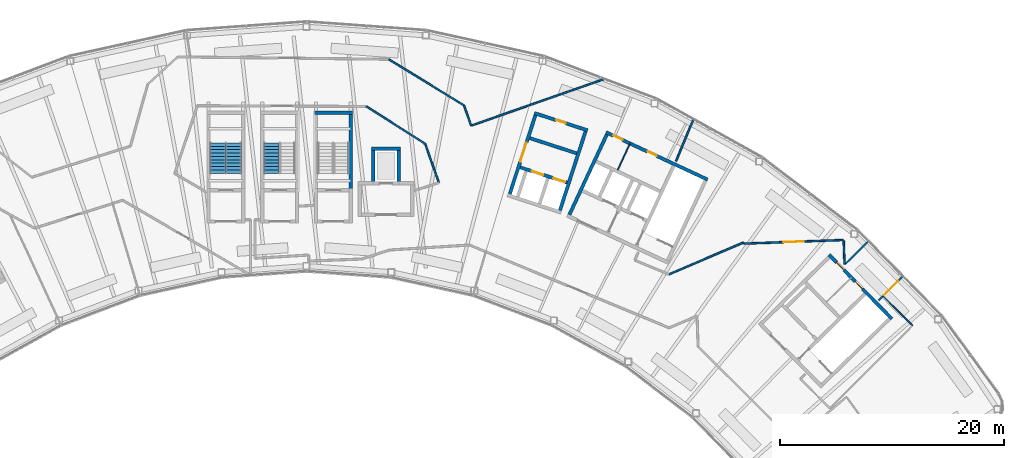
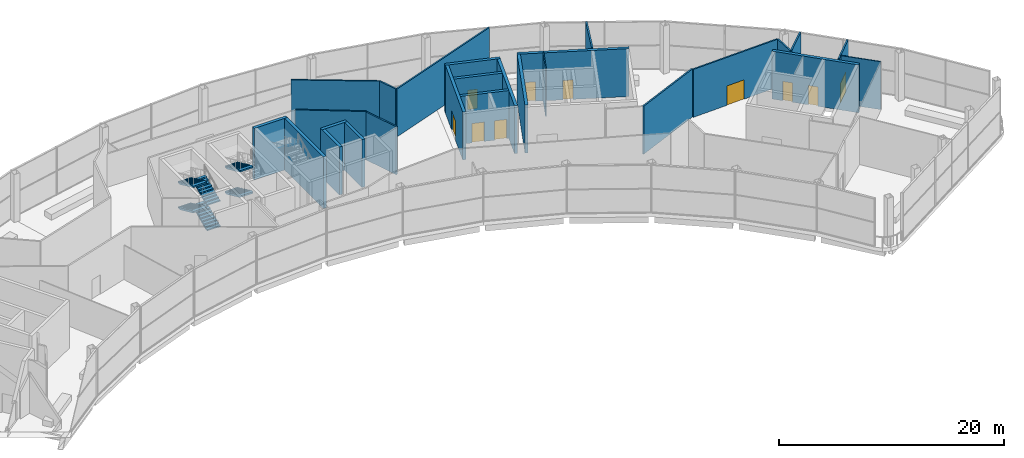
# One storey, part 40 of 44: 26 walls, 10 doors, 6 stair flights, 10 openings, 2 elements without a shape of their own.
"""IFC4 building model written with IfcOpenShell, lengths in metres."""

from ifc_helpers import new_model, si_unit, direction, frame, frame_2d, origin, place, context, subcontext, project, spatial, polyline, rectangle, outline, extrude, material, layer, layer_set, type_object, element, fill, aggregate, save


model = new_model("IFC4")

# Units and contexts
model_context = context("Model", 3, precision=1e-05, world=origin(), true_north=direction((0.0, 1.0)))
body_context = subcontext(model_context, "Body", "Model", "MODEL_VIEW")
ifc_project = project(units=[si_unit("LENGTHUNIT", "METRE"), si_unit("AREAUNIT", "SQUARE_METRE"), si_unit("VOLUMEUNIT", "CUBIC_METRE"), si_unit("PLANEANGLEUNIT", "RADIAN"), si_unit("MASSUNIT", "GRAM", prefix="KILO")], contexts=[model_context])

# Site, building, storey
site_placement = place(None, origin())
site = spatial("IfcSite", under=ifc_project, at=site_placement, CompositionType="ELEMENT")
building_placement = place(site_placement, origin())
building = spatial("IfcBuilding", under=site, at=building_placement, Name="Tuul Gate Civic Tower", CompositionType="ELEMENT")
storey_placement = place(building_placement, frame((0.0, 0.0, 354.60009765625)))
storey = spatial("IfcBuildingStorey", under=building, at=storey_placement, Name="Observation level 2", CompositionType="ELEMENT", Elevation=354.60009765625)

# Wall, openings, doors
ifc_material_1 = material(Name="Concrete C50/60", Category="concrete")
ifc_layer_1 = layer(ifc_material_1, 0.300048828125)
ifc_layer_set_1 = layer_set([ifc_layer_1], Name="Concrete C50/60")
wall_type_1 = type_object("IfcWallType", Name="Core wall C50/60", PredefinedType="SHEAR", material=ifc_layer_set_1)
wall_1_placement = place(storey_placement, frame((54.43798828125, -12.23779296875, 0.0), z_axis=(0.0, 0.0, 1.0), x_axis=(-0.700021979774, 0.714121297703, 0.0)))
wall_1 = element("IfcWall", 1, at=wall_1_placement, inside=storey, type_object=wall_type_1, Name="Core wall", PredefinedType="SHEAR", context=body_context, shape_type="SweptSolid", body=[
    extrude(rectangle(XDim=8.0, YDim=0.300048828125, at=frame_2d((4.0, 0.0))), origin(), (0.0, 0.0, 1.0), 5.199951171875),
])
opening_1_placement = place(wall_1_placement, frame((3.75, 0.0, 0.0)))
opening_1 = element("IfcOpeningElement", 2, at=opening_1_placement, cuts=wall_1, Name="Opening AE-D16", PredefinedType="OPENING", context=body_context, shape_type="SweptSolid", body=[
    extrude(rectangle(XDim=0.89990234375, YDim=2.10009765625, at=frame_2d((0.449951171875, 1.050048828125))), frame((0.0, 0.16015625, 0.0), z_axis=(0.0, -1.0, 0.0), x_axis=(1.0, 0.0, 0.0)), (0.0, 0.0, 1.0), 0.320068359375),
])
opening_2_placement = place(wall_1_placement, frame((6.125, 0.0, 0.0)))
opening_2 = element("IfcOpeningElement", 3, at=opening_2_placement, cuts=wall_1, Name="Opening AE-D17", PredefinedType="OPENING", context=body_context, shape_type="SweptSolid", body=[
    extrude(rectangle(XDim=0.89990234375, YDim=2.10009765625, at=frame_2d((0.449951171875, 1.050048828125))), frame((0.0, 0.16015625, 0.0), z_axis=(0.0, -1.0, 0.0), x_axis=(1.0, 0.0, 0.0)), (0.0, 0.0, 1.0), 0.320068359375),
])
ifc_material_2 = material(Name="Timber door leaf", Category="wood")
door_type_1 = type_object("IfcDoorType", Name="Door D09", OperationType="NOTDEFINED", PredefinedType="DOOR", material=ifc_material_2)
door_1_placement = place(opening_1_placement, origin())
door_1 = element("IfcDoor", 4, at=door_1_placement, inside=storey, type_object=door_type_1, Name="Door AE-D16", OperationType="SINGLE_SWING_LEFT", OverallHeight=2.10009765625, OverallWidth=0.89990234375, PredefinedType="DOOR", context=body_context, shape_type="SweptSolid", body=[
    extrude(rectangle(XDim=0.89990234375, YDim=2.10009765625, at=frame_2d((0.449951171875, 1.050048828125))), frame((0.0, 0.02490234375, 0.0), z_axis=(0.0, -1.0, 0.0), x_axis=(1.0, 0.0, 0.0)), (0.0, 0.0, 1.0), 0.050048828125),
])
fill(opening_1, door_1)
door_2_placement = place(opening_2_placement, origin())
door_2 = element("IfcDoor", 5, at=door_2_placement, inside=storey, type_object=door_type_1, Name="Door AE-D17", OperationType="SINGLE_SWING_LEFT", OverallHeight=2.10009765625, OverallWidth=0.89990234375, PredefinedType="DOOR", context=body_context, shape_type="SweptSolid", body=[
    extrude(rectangle(XDim=0.89990234375, YDim=2.10009765625, at=frame_2d((0.449951171875, 1.050048828125))), frame((0.0, 0.02490234375, 0.0), z_axis=(0.0, -1.0, 0.0), x_axis=(1.0, 0.0, 0.0)), (0.0, 0.0, 1.0), 0.050048828125),
])
fill(opening_2, door_2)

wall_2_placement = place(storey_placement, frame((37.993408203125, 0.181884765625, 0.0), z_axis=(0.0, 0.0, 1.0), x_axis=(-0.906310338845, 0.422612789327, 0.0)))
wall_2 = element("IfcWall", 6, at=wall_2_placement, inside=storey, type_object=wall_type_1, Name="Core wall", PredefinedType="SHEAR", context=body_context, shape_type="SweptSolid", body=[
    extrude(rectangle(XDim=9.999755859375, YDim=0.300048828125, at=frame_2d((5.0, 0.0))), origin(), (0.0, 0.0, 1.0), 5.199951171875),
])
opening_3_placement = place(wall_2_placement, frame((4.99365234375, 0.0, 0.0)))
opening_3 = element("IfcOpeningElement", 7, at=opening_3_placement, cuts=wall_2, Name="Opening AE-D18", PredefinedType="OPENING", context=body_context, shape_type="SweptSolid", body=[
    extrude(rectangle(XDim=0.89990234375, YDim=2.10009765625, at=frame_2d((0.449951171875, 1.050048828125))), frame((0.0, 0.16015625, 0.0), z_axis=(0.0, -1.0, 0.0), x_axis=(1.0, 0.0, 0.0)), (0.0, 0.0, 1.0), 0.320068359375),
])
opening_4_placement = place(wall_2_placement, frame((8.368896484375, 0.0, 0.0)))
opening_4 = element("IfcOpeningElement", 8, at=opening_4_placement, cuts=wall_2, Name="Opening AE-D19", PredefinedType="OPENING", context=body_context, shape_type="SweptSolid", body=[
    extrude(rectangle(XDim=0.89990234375, YDim=2.10009765625, at=frame_2d((0.449951171875, 1.050048828125))), frame((0.0, 0.16015625, 0.0), z_axis=(0.0, -1.0, 0.0), x_axis=(1.0, 0.0, 0.0)), (0.0, 0.0, 1.0), 0.320068359375),
])
door_3_placement = place(opening_3_placement, origin())
door_3 = element("IfcDoor", 9, at=door_3_placement, inside=storey, type_object=door_type_1, Name="Door AE-D18", OperationType="SINGLE_SWING_LEFT", OverallHeight=2.10009765625, OverallWidth=0.89990234375, PredefinedType="DOOR", context=body_context, shape_type="SweptSolid", body=[
    extrude(rectangle(XDim=0.89990234375, YDim=2.10009765625, at=frame_2d((0.449951171875, 1.050048828125))), frame((0.0, 0.02490234375, 0.0), z_axis=(0.0, -1.0, 0.0), x_axis=(1.0, 0.0, 0.0)), (0.0, 0.0, 1.0), 0.050048828125),
])
fill(opening_3, door_3)
door_4_placement = place(opening_4_placement, origin())
door_4 = element("IfcDoor", 10, at=door_4_placement, inside=storey, type_object=door_type_1, Name="Door AE-D19", OperationType="SINGLE_SWING_RIGHT", OverallHeight=2.10009765625, OverallWidth=0.89990234375, PredefinedType="DOOR", context=body_context, shape_type="SweptSolid", body=[
    extrude(rectangle(XDim=0.89990234375, YDim=2.10009765625, at=frame_2d((0.449951171875, 1.050048828125))), frame((0.0, 0.02490234375, 0.0), z_axis=(0.0, -1.0, 0.0), x_axis=(1.0, 0.0, 0.0)), (0.0, 0.0, 1.0), 0.050048828125),
])
fill(opening_4, door_4)

# Walls
wall_3_placement = place(storey_placement, frame((25.66455078125, -2.951416015625, 0.0), z_axis=(0.0, 0.0, 1.0), x_axis=(0.422582604137, 0.906324413596, 0.0)))
element("IfcWall", 11, at=wall_3_placement, inside=storey, type_object=wall_type_1, Name="Core wall", PredefinedType="SHEAR", context=body_context, shape_type="SweptSolid", body=[
    extrude(rectangle(XDim=7.89990234375, YDim=0.300048828125, at=frame_2d((3.949951171875, 0.0))), origin(), (0.0, 0.0, 1.0), 5.199951171875),
])
wall_4_placement = place(storey_placement, frame((6.14990234375, -0.89990234375, -0.400146484375), z_axis=(0.0, 0.0, 1.0), x_axis=(0.0, 1.0, 0.0)))
element("IfcWall", 12, at=wall_4_placement, inside=storey, type_object=wall_type_1, Name="Core wall", PredefinedType="SHEAR", context=body_context, shape_type="SweptSolid", body=[
    extrude(rectangle(XDim=7.199951171875, YDim=0.300048828125, at=frame_2d((3.60009765625, 0.0))), origin(), (0.0, 0.0, 1.0), 5.60009765625),
])
wall_5_placement = place(storey_placement, frame((6.300048828125, 6.14990234375, -0.400146484375), z_axis=(0.0, 0.0, 1.0), x_axis=(-1.0, 0.0, 0.0)))
element("IfcWall", 13, at=wall_5_placement, inside=storey, type_object=wall_type_1, Name="Core wall", PredefinedType="SHEAR", context=body_context, shape_type="SweptSolid", body=[
    extrude(rectangle(XDim=3.400146484375, YDim=0.300048828125, at=frame_2d((1.7001953125, 0.0))), origin(), (0.0, 0.0, 1.0), 5.60009765625),
])
for number, where, z_axis, x_axis, name in (
    (14, (10.449951171875, -0.300048828125, 0.0), (0.0, 0.0, 1.0), (0.0, 1.0, 0.0), "Core wall"),
    (15, (8.14990234375, 3.10009765625, 0.0), (0.0, 0.0, 1.0), (0.0, -1.0, 0.0), "Core wall"),
):
    element("IfcWall", number, at=place(storey_placement, frame(where, z_axis=z_axis, x_axis=x_axis)), inside=storey, type_object=wall_type_1, Name=name, PredefinedType="SHEAR", context=body_context, shape_type="SweptSolid", body=[
        extrude(rectangle(XDim=3.400146484375, YDim=0.300048828125, at=frame_2d((1.7001953125, 0.0))), origin(), (0.0, 0.0, 1.0), 5.199951171875),
    ])
wall_6_placement = place(storey_placement, frame((10.60009765625, 2.949951171875, 0.0), z_axis=(0.0, 0.0, 1.0), x_axis=(-1.0, 0.0, 0.0)))
element("IfcWall", 16, at=wall_6_placement, inside=storey, type_object=wall_type_1, Name="Core wall", PredefinedType="SHEAR", context=body_context, shape_type="SweptSolid", body=[
    extrude(rectangle(XDim=2.60009765625, YDim=0.300048828125, at=frame_2d((1.300048828125, 0.0))), origin(), (0.0, 0.0, 1.0), 5.199951171875),
])

# Wall, opening, door
ifc_material_3 = material(Name="Gypsum board partition")
ifc_layer_2 = layer(ifc_material_3, 0.14990234375)
ifc_layer_set_2 = layer_set([ifc_layer_2], Name="Gypsum board partition")
wall_type_2 = type_object("IfcWallType", Name="Corridor wall P150", PredefinedType="PARTITIONING", material=ifc_layer_set_2)
wall_7_placement = place(storey_placement, frame((53.25634765625, -10.60400390625, 0.0), z_axis=(0.0, 0.0, 1.0), x_axis=(0.706319182474, 0.707893503621, 0.0)))
wall_7 = element("IfcWall", 17, at=wall_7_placement, inside=storey, type_object=wall_type_2, Name="p002", PredefinedType="PARTITIONING", context=body_context, shape_type="SweptSolid", body=[
    extrude(rectangle(XDim=3.1015625, YDim=0.14990234375, at=frame_2d((1.55078125, 0.0))), origin(), (0.0, 0.0, 1.0), 5.199951171875),
])
opening_5_placement = place(wall_7_placement, frame((0.656005859375, 0.0, 0.0)))
opening_5 = element("IfcOpeningElement", 18, at=opening_5_placement, cuts=wall_7, Name="Opening AE-D13", PredefinedType="OPENING", context=body_context, shape_type="SweptSolid", body=[
    extrude(rectangle(XDim=1.800048828125, YDim=2.10009765625, at=frame_2d((0.89990234375, 1.050048828125))), frame((0.0, 0.0849609375, 0.0), z_axis=(0.0, -1.0, 0.0), x_axis=(1.0, 0.0, 0.0)), (0.0, 0.0, 1.0), 0.169921875),
])
ifc_material_4 = material(Name="Timber door leaf, double", Category="wood")
door_type_2 = type_object("IfcDoorType", Name="Door D18", OperationType="DOUBLE_DOOR_SINGLE_SWING", PredefinedType="DOOR", material=ifc_material_4)
door_5_placement = place(opening_5_placement, frame((1.800048828125, 0.0, 0.0), z_axis=(0.0, 0.0, 1.0), x_axis=(-1.0, 0.0, 0.0)))
door_5 = element("IfcDoor", 19, at=door_5_placement, inside=storey, type_object=door_type_2, Name="Door AE-D13", OperationType="DOUBLE_DOOR_SINGLE_SWING", OverallHeight=2.10009765625, OverallWidth=1.800048828125, PredefinedType="DOOR", context=body_context, shape_type="SweptSolid", body=[
    extrude(rectangle(XDim=1.800048828125, YDim=2.10009765625, at=frame_2d((0.900146484375, 1.050048828125))), frame((0.0, 0.02490234375, 0.0), z_axis=(0.0, -1.0, 0.0), x_axis=(1.0, 0.0, 0.0)), (0.0, 0.0, 1.0), 0.050048828125),
])
fill(opening_5, door_5)

# Walls
wall_8_placement = place(storey_placement, frame((50.252685546875, -7.37841796875, 0.0), z_axis=(0.0, 0.0, 1.0), x_axis=(0.714138503409, 0.700004427092, 0.0)))
element("IfcWall", 20, at=wall_8_placement, inside=storey, type_object=wall_type_2, Name="p008", PredefinedType="PARTITIONING", context=body_context, shape_type="SweptSolid", body=[
    extrude(rectangle(XDim=2.98828125, YDim=0.14990234375, at=frame_2d((1.494140625, 0.0))), origin(), (0.0, 0.0, 1.0), 5.199951171875),
])
wall_9_placement = place(storey_placement, frame((50.142578125, -5.25732421875, 0.0), z_axis=(0.0, 0.0, 1.0), x_axis=(0.036120991231, -0.999347424069, 0.0)))
element("IfcWall", 21, at=wall_9_placement, inside=storey, type_object=wall_type_2, Name="p009", PredefinedType="PARTITIONING", context=body_context, shape_type="SweptSolid", body=[
    extrude(rectangle(XDim=2.10888671875, YDim=0.14990234375, at=frame_2d((1.054443359375, 0.0))), origin(), (0.0, 0.0, 1.0), 5.199951171875),
])

# Wall, opening, door
wall_10_placement = place(storey_placement, frame((41.2431640625, -5.528564453125, 0.0), z_axis=(0.0, 0.0, 1.0), x_axis=(0.99934826333, 0.036097764196, 0.0)))
wall_10 = element("IfcWall", 22, at=wall_10_placement, inside=storey, type_object=wall_type_2, Name="p010", PredefinedType="PARTITIONING", context=body_context, shape_type="SweptSolid", body=[
    extrude(rectangle(XDim=8.853271484375, YDim=0.14990234375, at=frame_2d((4.4267578125, 0.0))), origin(), (0.0, 0.0, 1.0), 5.199951171875),
])
opening_6_placement = place(wall_10_placement, frame((3.526611328125, 0.0, 0.0)))
opening_6 = element("IfcOpeningElement", 23, at=opening_6_placement, cuts=wall_10, Name="Opening AE-D02", PredefinedType="OPENING", context=body_context, shape_type="SweptSolid", body=[
    extrude(rectangle(XDim=1.800048828125, YDim=2.10009765625, at=frame_2d((0.89990234375, 1.050048828125))), frame((0.0, 0.0849609375, 0.0), z_axis=(0.0, -1.0, 0.0), x_axis=(1.0, 0.0, 0.0)), (0.0, 0.0, 1.0), 0.169921875),
])
door_6_placement = place(opening_6_placement, origin())
door_6 = element("IfcDoor", 24, at=door_6_placement, inside=storey, type_object=door_type_2, Name="Door AE-D02", OperationType="DOUBLE_DOOR_SINGLE_SWING", OverallHeight=2.10009765625, OverallWidth=1.800048828125, PredefinedType="DOOR", context=body_context, shape_type="SweptSolid", body=[
    extrude(rectangle(XDim=1.800048828125, YDim=2.10009765625, at=frame_2d((0.89990234375, 1.050048828125))), frame((0.0, 0.02490234375, 0.0), z_axis=(0.0, -1.0, 0.0), x_axis=(1.0, 0.0, 0.0)), (0.0, 0.0, 1.0), 0.050048828125),
])
fill(opening_6, door_6)

# Walls
wall_11_placement = place(storey_placement, frame((34.551513671875, -8.271484375, 0.0), z_axis=(0.0, 0.0, 1.0), x_axis=(0.919430393606, 0.393252782969, 0.0)))
element("IfcWall", 25, at=wall_11_placement, inside=storey, type_object=wall_type_2, Name="p011", PredefinedType="PARTITIONING", context=body_context, shape_type="SweptSolid", body=[
    extrude(rectangle(XDim=7.251220703125, YDim=0.14990234375, at=frame_2d((3.62548828125, 0.0))), origin(), (0.0, 0.0, 1.0), 5.199951171875),
])
wall_12_placement = place(storey_placement, frame((35.177001953125, 1.827392578125, 0.0), z_axis=(0.0, 0.0, 1.0), x_axis=(0.38332293779, 0.923614381311, 0.0)))
element("IfcWall", 26, at=wall_12_placement, inside=storey, type_object=wall_type_2, Name="p014", PredefinedType="PARTITIONING", context=body_context, shape_type="SweptSolid", body=[
    extrude(rectangle(XDim=4.092041015625, YDim=0.14990234375, at=frame_2d((2.0458984375, 0.0))), origin(), (0.0, 0.0, 1.0), 5.199951171875),
])
wall_13_placement = place(storey_placement, frame((16.910888671875, 5.009033203125, 0.0), z_axis=(0.0, 0.0, 1.0), x_axis=(0.944006895576, 0.329925720586, 0.0)))
element("IfcWall", 27, at=wall_13_placement, inside=storey, type_object=wall_type_2, Name="p016", PredefinedType="PARTITIONING", context=body_context, shape_type="SweptSolid", body=[
    extrude(rectangle(XDim=12.59912109375, YDim=0.14990234375, at=frame_2d((6.299560546875, 0.0))), origin(), (0.0, 0.0, 1.0), 5.199951171875),
])
wall_14_placement = place(storey_placement, frame((16.260986328125, 6.806884765625, 0.0), z_axis=(0.0, 0.0, 1.0), x_axis=(0.329867310073, -0.944027307733, 0.0)))
element("IfcWall", 28, at=wall_14_placement, inside=storey, type_object=wall_type_2, Name="p017", PredefinedType="PARTITIONING", context=body_context, shape_type="SweptSolid", body=[
    extrude(rectangle(XDim=1.89111328125, YDim=0.14990234375, at=frame_2d((0.945556640625, 0.0))), origin(), (0.0, 0.0, 1.0), 5.199951171875),
])
wall_15_placement = place(storey_placement, frame((9.52880859375, 10.923828125, 0.0), z_axis=(0.0, 0.0, 1.0), x_axis=(0.853157129263, -0.521654016362, 0.0)))
element("IfcWall", 29, at=wall_15_placement, inside=storey, type_object=wall_type_2, Name="p018", PredefinedType="PARTITIONING", context=body_context, shape_type="SweptSolid", body=[
    extrude(rectangle(XDim=7.8896484375, YDim=0.14990234375, at=frame_2d((3.94482421875, 0.0))), origin(), (0.0, 0.0, 1.0), 5.199951171875),
])
wall_16_placement = place(storey_placement, frame((7.522705078125, 6.726318359375, 0.0), z_axis=(0.0, 0.0, 1.0), x_axis=(0.844442967336, -0.535645475027, 0.0)))
element("IfcWall", 30, at=wall_16_placement, inside=storey, type_object=wall_type_2, Name="p040", PredefinedType="PARTITIONING", context=body_context, shape_type="SweptSolid", body=[
    extrude(rectangle(XDim=6.32177734375, YDim=0.14990234375, at=frame_2d((3.160888671875, 0.0))), origin(), (0.0, 0.0, 1.0), 5.199951171875),
])
wall_17_placement = place(storey_placement, frame((12.833251953125, 3.278076171875, 0.0), z_axis=(0.0, 0.0, 1.0), x_axis=(0.329968276223, -0.943992021516, 0.0)))
element("IfcWall", 31, at=wall_17_placement, inside=storey, type_object=wall_type_2, Name="p050", PredefinedType="PARTITIONING", context=body_context, shape_type="SweptSolid", body=[
    extrude(rectangle(XDim=3.557373046875, YDim=0.14990234375, at=frame_2d((1.77880859375, 0.0))), origin(), (0.0, 0.0, 1.0), 5.199951171875),
])

# Wall, openings, doors
ifc_material_5 = material(Name="Concrete C40/50", Category="concrete")
ifc_layer_3 = layer(ifc_material_5, 0.300048828125)
ifc_layer_set_3 = layer_set([ifc_layer_3], Name="Concrete C40/50")
wall_type_3 = type_object("IfcWallType", Name="Lift shaft wall C40/50", PredefinedType="STANDARD", material=ifc_layer_set_3)
wall_18_placement = place(storey_placement, frame((25.460693359375, -0.0859375, 0.0), z_axis=(0.0, 0.0, 1.0), x_axis=(-0.951063829732, 0.308994485023, 0.0)))
wall_18 = element("IfcWall", 32, at=wall_18_placement, inside=storey, type_object=wall_type_3, Name="Shaft wall", PredefinedType="STANDARD", context=body_context, shape_type="SweptSolid", body=[
    extrude(rectangle(XDim=4.400146484375, YDim=0.300048828125, at=frame_2d((2.2001953125, 0.0))), origin(), (0.0, 0.0, 1.0), 5.199951171875),
])
opening_7_placement = place(wall_18_placement, frame((0.175048828125, 0.0, 0.0)))
opening_7 = element("IfcOpeningElement", 33, at=opening_7_placement, cuts=wall_18, Name="Opening LD-H2", PredefinedType="OPENING", context=body_context, shape_type="SweptSolid", body=[
    extrude(rectangle(XDim=1.10009765625, YDim=2.10009765625, at=frame_2d((0.550048828125, 1.050048828125))), frame((0.0, 0.16015625, 0.0), z_axis=(0.0, -1.0, 0.0), x_axis=(1.0, 0.0, 0.0)), (0.0, 0.0, 1.0), 0.320068359375),
])
opening_8_placement = place(wall_18_placement, frame((2.22509765625, 0.0, 0.0)))
opening_8 = element("IfcOpeningElement", 34, at=opening_8_placement, cuts=wall_18, Name="Opening LD-H3", PredefinedType="OPENING", context=body_context, shape_type="SweptSolid", body=[
    extrude(rectangle(XDim=1.10009765625, YDim=2.10009765625, at=frame_2d((0.550048828125, 1.050048828125))), frame((0.0, 0.16015625, 0.0), z_axis=(0.0, -1.0, 0.0), x_axis=(1.0, 0.0, 0.0)), (0.0, 0.0, 1.0), 0.320068359375),
])
ifc_material_6 = material(Name="Stainless steel", Category="steel")
door_type_3 = type_object("IfcDoorType", Name="Landing door", OperationType="DOUBLE_DOOR_SLIDING", PredefinedType="DOOR", material=ifc_material_6)
door_7_placement = place(opening_7_placement, origin())
door_7 = element("IfcDoor", 35, at=door_7_placement, inside=storey, type_object=door_type_3, Name="High-rise lift H2 landing door", OperationType="DOUBLE_DOOR_SLIDING", OverallHeight=2.10009765625, OverallWidth=1.10009765625, PredefinedType="DOOR", context=body_context, shape_type="SweptSolid", body=[
    extrude(rectangle(XDim=1.10009765625, YDim=2.10009765625, at=frame_2d((0.550048828125, 1.050048828125))), frame((0.0, 0.02490234375, 0.0), z_axis=(0.0, -1.0, 0.0), x_axis=(1.0, 0.0, 0.0)), (0.0, 0.0, 1.0), 0.050048828125),
])
fill(opening_7, door_7)
door_8_placement = place(opening_8_placement, origin())
door_8 = element("IfcDoor", 36, at=door_8_placement, inside=storey, type_object=door_type_3, Name="High-rise lift H3 landing door", OperationType="DOUBLE_DOOR_SLIDING", OverallHeight=2.10009765625, OverallWidth=1.10009765625, PredefinedType="DOOR", context=body_context, shape_type="SweptSolid", body=[
    extrude(rectangle(XDim=1.10009765625, YDim=2.10009765625, at=frame_2d((0.550048828125, 1.050048828125))), frame((0.0, 0.02490234375, 0.0), z_axis=(0.0, -1.0, 0.0), x_axis=(1.0, 0.0, 0.0)), (0.0, 0.0, 1.0), 0.050048828125),
])
fill(opening_8, door_8)

# Wall
wall_19_placement = place(storey_placement, frame((26.310546875, 2.529541015625, 0.0), z_axis=(0.0, 0.0, 1.0), x_axis=(-0.951058531764, 0.30901079133, 0.0)))
element("IfcWall", 37, at=wall_19_placement, inside=storey, type_object=wall_type_3, Name="Shaft wall", PredefinedType="STANDARD", context=body_context, shape_type="SweptSolid", body=[
    extrude(rectangle(XDim=4.39990234375, YDim=0.300048828125, at=frame_2d((2.199951171875, 0.0))), origin(), (0.0, 0.0, 1.0), 5.199951171875),
])

# Wall, opening, door
wall_20_placement = place(storey_placement, frame((27.29150390625, 4.57666015625, 0.0), z_axis=(0.0, 0.0, 1.0), x_axis=(-0.951067792613, 0.308982287281, 0.0)))
wall_20 = element("IfcWall", 38, at=wall_20_placement, inside=storey, type_object=wall_type_3, Name="Shaft wall", PredefinedType="STANDARD", context=body_context, shape_type="SweptSolid", body=[
    extrude(rectangle(XDim=5.0, YDim=0.300048828125, at=frame_2d((2.5, 0.0))), origin(), (0.0, 0.0, 1.0), 5.199951171875),
])
opening_9_placement = place(wall_20_placement, frame((2.050048828125, 0.0, 0.0)))
opening_9 = element("IfcOpeningElement", 39, at=opening_9_placement, cuts=wall_20, Name="Opening AE-D20", PredefinedType="OPENING", context=body_context, shape_type="SweptSolid", body=[
    extrude(rectangle(XDim=0.89990234375, YDim=2.10009765625, at=frame_2d((0.449951171875, 1.050048828125))), frame((0.0, 0.16015625, 0.0), z_axis=(0.0, -1.0, 0.0), x_axis=(1.0, 0.0, 0.0)), (0.0, 0.0, 1.0), 0.320068359375),
])
door_9_placement = place(opening_9_placement, origin())
door_9 = element("IfcDoor", 40, at=door_9_placement, inside=storey, type_object=door_type_1, Name="Door AE-D20", OperationType="SINGLE_SWING_LEFT", OverallHeight=2.10009765625, OverallWidth=0.89990234375, PredefinedType="DOOR", context=body_context, shape_type="SweptSolid", body=[
    extrude(rectangle(XDim=0.89990234375, YDim=2.10009765625, at=frame_2d((0.449951171875, 1.050048828125))), frame((0.0, 0.02490234375, 0.0), z_axis=(0.0, -1.0, 0.0), x_axis=(1.0, 0.0, 0.0)), (0.0, 0.0, 1.0), 0.050048828125),
])
fill(opening_9, door_9)

# Wall
wall_21_placement = place(storey_placement, frame((24.815185546875, -2.557373046875, 0.0), z_axis=(0.0, 0.0, 1.0), x_axis=(0.30907264409, 0.951038432807, 0.0)))
element("IfcWall", 41, at=wall_21_placement, inside=storey, type_object=wall_type_3, Name="Shaft wall", PredefinedType="STANDARD", context=body_context, shape_type="SweptSolid", body=[
    extrude(rectangle(XDim=7.39990234375, YDim=0.300048828125, at=frame_2d((3.699951171875, 0.0))), origin(), (0.0, 0.0, 1.0), 5.199951171875),
])

# Wall, opening, door
wall_22_placement = place(storey_placement, frame((20.34521484375, -1.10498046875, 0.0), z_axis=(0.0, 0.0, 1.0), x_axis=(0.30907264409, 0.951038432807, 0.0)))
wall_22 = element("IfcWall", 42, at=wall_22_placement, inside=storey, type_object=wall_type_3, Name="Shaft wall", PredefinedType="STANDARD", context=body_context, shape_type="SweptSolid", body=[
    extrude(rectangle(XDim=7.39990234375, YDim=0.300048828125, at=frame_2d((3.699951171875, 0.0))), origin(), (0.0, 0.0, 1.0), 5.199951171875),
])
opening_10_placement = place(wall_22_placement, frame((3.02490234375, 0.0, 0.0)))
opening_10 = element("IfcOpeningElement", 43, at=opening_10_placement, cuts=wall_22, Name="Opening LB-E4-LOBBY-1", PredefinedType="OPENING", context=body_context, shape_type="SweptSolid", body=[
    extrude(rectangle(XDim=1.800048828125, YDim=2.10009765625, at=frame_2d((0.89990234375, 1.050048828125))), frame((0.0, 0.16015625, 0.0), z_axis=(0.0, -1.0, 0.0), x_axis=(1.0, 0.0, 0.0)), (0.0, 0.0, 1.0), 0.320068359375),
])
ifc_material_7 = material(Name="Steel", Category="steel")
door_type_4 = type_object("IfcDoorType", Name="Lobby door", OperationType="DOUBLE_DOOR_SINGLE_SWING", PredefinedType="DOOR", material=ifc_material_7)
door_10_placement = place(opening_10_placement, origin())
door_10 = element("IfcDoor", 44, at=door_10_placement, inside=storey, type_object=door_type_4, Name="Lobby door E4-LOBBY", OperationType="DOUBLE_DOOR_SINGLE_SWING", OverallHeight=2.10009765625, OverallWidth=1.800048828125, PredefinedType="DOOR", context=body_context, shape_type="SweptSolid", body=[
    extrude(rectangle(XDim=1.800048828125, YDim=2.10009765625, at=frame_2d((0.89990234375, 1.050048828125))), frame((0.0, 0.02490234375, 0.0), z_axis=(0.0, -1.0, 0.0), x_axis=(1.0, 0.0, 0.0)), (0.0, 0.0, 1.0), 0.050048828125),
])
fill(opening_10, door_10)

# Walls
ifc_material_8 = material(Name="Gypsum board partition")
ifc_layer_4 = layer(ifc_material_8, 0.10009765625)
ifc_layer_set_4 = layer_set([ifc_layer_4], Name="Gypsum board partition")
wall_type_4 = type_object("IfcWallType", Name="Partition P100", PredefinedType="PARTITIONING", material=ifc_layer_set_4)
wall_23_placement = place(storey_placement, frame((53.651611328125, -10.2080078125, 0.0), z_axis=(0.0, 0.0, 1.0), x_axis=(0.707891292423, -0.706321398594, 0.0)))
element("IfcWall", 45, at=wall_23_placement, inside=storey, type_object=wall_type_4, Name="p006", PredefinedType="PARTITIONING", context=body_context, shape_type="SweptSolid", body=[
    extrude(rectangle(XDim=3.732421875, YDim=0.10009765625, at=frame_2d((1.8662109375, 0.0))), origin(), (0.0, 0.0, 1.0), 5.199951171875),
])
wall_24_placement = place(storey_placement, frame((29.972900390625, 1.052978515625, 0.0), z_axis=(0.0, 0.0, 1.0), x_axis=(0.422556439746, 0.906336612539, 0.0)))
element("IfcWall", 46, at=wall_24_placement, inside=storey, type_object=wall_type_4, Name="bE3-BAND-0", PredefinedType="PARTITIONING", context=body_context, shape_type="SweptSolid", body=[
    extrude(rectangle(XDim=2.599853515625, YDim=0.10009765625, at=frame_2d((1.2998046875, 0.0))), origin(), (0.0, 0.0, 1.0), 5.199951171875),
])

# Stair, stair flights
ifc_material_9 = material(Name="Concrete C40/50", Category="concrete")
stair_type = type_object("IfcStairType", Name="Exit stair", PredefinedType="HALF_TURN_STAIR", material=ifc_material_9)
stair_1_placement = place(storey_placement, origin())
stair_1 = element("IfcStair", 47, at=stair_1_placement, inside=storey, type_object=stair_type, Name="Observation level 2 ST-5", PredefinedType="HALF_TURN_STAIR")
ifc_material_10 = material(Name="Concrete C40/50", Category="concrete")
stair_flight_type = type_object("IfcStairFlightType", Name="Exit stair flight", PredefinedType="STRAIGHT", material=ifc_material_10)
stair_flight_1_placement = place(storey_placement, frame((-4.27490234375, 0.75, 0.0), z_axis=(0.0, 0.0, 1.0), x_axis=(0.0, 1.0, 0.0)))
stair_flight_1 = element("IfcStairFlight", 48, at=stair_flight_1_placement, type_object=stair_flight_type, Name="ST-5 flight 1", NumberOfRisers=10, NumberOfTreads=9, PredefinedType="STRAIGHT", RiserHeight=0.1375, TreadLength=0.3, context=body_context, shape_type="SweptSolid", body=[
    extrude(outline(polyline([(0.0, 0.0), (0.0, 0.137451171875), (0.300048828125, 0.137451171875), (0.300048828125, 0.27490234375), (0.60009765625, 0.27490234375), (0.60009765625, 0.41259765625), (0.89990234375, 0.41259765625), (0.89990234375, 0.550048828125), (1.199951171875, 0.550048828125), (1.199951171875, 0.6875), (1.5, 0.6875), (1.5, 0.824951171875), (1.800048828125, 0.824951171875), (1.800048828125, 0.96240234375), (2.10009765625, 0.96240234375), (2.10009765625, 1.10009765625), (2.39990234375, 1.10009765625), (2.39990234375, 1.237548828125), (2.699951171875, 1.237548828125), (2.699951171875, 1.375), (2.699951171875, 1.072509765625), (0.35986328125, 0.0), (0.0, 0.0)])), frame((0.0, 0.675048828125, 0.0), z_axis=(0.0, -1.0, 0.0), x_axis=(1.0, 0.0, 0.0)), (0.0, 0.0, 1.0), 1.35009765625),
])
stair_flight_2_placement = place(storey_placement, frame((-5.72509765625, 3.449951171875, 1.375), z_axis=(0.0, 0.0, 1.0), x_axis=(0.0, -1.0, 0.0)))
stair_flight_2 = element("IfcStairFlight", 49, at=stair_flight_2_placement, type_object=stair_flight_type, Name="ST-5 flight 2", NumberOfRisers=10, NumberOfTreads=9, PredefinedType="STRAIGHT", RiserHeight=0.1375, TreadLength=0.3, context=body_context, shape_type="SweptSolid", body=[
    extrude(outline(polyline([(0.0, 0.0), (0.0, 0.137451171875), (0.300048828125, 0.137451171875), (0.300048828125, 0.27490234375), (0.60009765625, 0.27490234375), (0.60009765625, 0.41259765625), (0.89990234375, 0.41259765625), (0.89990234375, 0.550048828125), (1.199951171875, 0.550048828125), (1.199951171875, 0.6875), (1.5, 0.6875), (1.5, 0.824951171875), (1.800048828125, 0.824951171875), (1.800048828125, 0.96240234375), (2.10009765625, 0.96240234375), (2.10009765625, 1.10009765625), (2.39990234375, 1.10009765625), (2.39990234375, 1.237548828125), (2.699951171875, 1.237548828125), (2.699951171875, 1.375), (2.699951171875, 1.072509765625), (0.35986328125, 0.0), (0.0, 0.0)])), frame((0.0, 0.675048828125, 0.0), z_axis=(0.0, -1.0, 0.0), x_axis=(1.0, 0.0, 0.0)), (0.0, 0.0, 1.0), 1.35009765625),
])
stair_flight_3_placement = place(storey_placement, frame((-4.27490234375, 0.75, 2.75), z_axis=(0.0, 0.0, 1.0), x_axis=(0.0, 1.0, 0.0)))
stair_flight_3 = element("IfcStairFlight", 50, at=stair_flight_3_placement, type_object=stair_flight_type, Name="ST-5 flight 3", NumberOfRisers=10, NumberOfTreads=9, PredefinedType="STRAIGHT", RiserHeight=0.1375, TreadLength=0.3, context=body_context, shape_type="SweptSolid", body=[
    extrude(outline(polyline([(0.0, 0.0), (0.0, 0.137451171875), (0.300048828125, 0.137451171875), (0.300048828125, 0.27490234375), (0.60009765625, 0.27490234375), (0.60009765625, 0.41259765625), (0.89990234375, 0.41259765625), (0.89990234375, 0.550048828125), (1.199951171875, 0.550048828125), (1.199951171875, 0.6875), (1.5, 0.6875), (1.5, 0.824951171875), (1.800048828125, 0.824951171875), (1.800048828125, 0.96240234375), (2.10009765625, 0.96240234375), (2.10009765625, 1.10009765625), (2.39990234375, 1.10009765625), (2.39990234375, 1.237548828125), (2.699951171875, 1.237548828125), (2.699951171875, 1.375), (2.699951171875, 1.072509765625), (0.35986328125, 0.0), (0.0, 0.0)])), frame((0.0, 0.675048828125, 0.0), z_axis=(0.0, -1.0, 0.0), x_axis=(1.0, 0.0, 0.0)), (0.0, 0.0, 1.0), 1.35009765625),
])
stair_flight_4_placement = place(storey_placement, frame((-5.72509765625, 3.449951171875, 4.125), z_axis=(0.0, 0.0, 1.0), x_axis=(0.0, -1.0, 0.0)))
stair_flight_4 = element("IfcStairFlight", 51, at=stair_flight_4_placement, type_object=stair_flight_type, Name="ST-5 flight 4", NumberOfRisers=10, NumberOfTreads=9, PredefinedType="STRAIGHT", RiserHeight=0.1375, TreadLength=0.3, context=body_context, shape_type="SweptSolid", body=[
    extrude(outline(polyline([(0.0, 0.0), (0.0, 0.137451171875), (0.300048828125, 0.137451171875), (0.300048828125, 0.27490234375), (0.60009765625, 0.27490234375), (0.60009765625, 0.41259765625), (0.89990234375, 0.41259765625), (0.89990234375, 0.550048828125), (1.199951171875, 0.550048828125), (1.199951171875, 0.6875), (1.5, 0.6875), (1.5, 0.824951171875), (1.800048828125, 0.824951171875), (1.800048828125, 0.96240234375), (2.10009765625, 0.96240234375), (2.10009765625, 1.10009765625), (2.39990234375, 1.10009765625), (2.39990234375, 1.237548828125), (2.699951171875, 1.237548828125), (2.699951171875, 1.375), (2.699951171875, 1.072509765625), (0.35986328125, 0.0), (0.0, 0.0)])), frame((0.0, 0.675048828125, 0.0), z_axis=(0.0, -1.0, 0.0), x_axis=(1.0, 0.0, 0.0)), (0.0, 0.0, 1.0), 1.35009765625),
])
aggregate(stair_1, [stair_flight_1, stair_flight_2, stair_flight_3, stair_flight_4])

stair_2_placement = place(storey_placement, origin())
stair_2 = element("IfcStair", 52, at=stair_2_placement, inside=storey, type_object=stair_type, Name="Observation level 2 ST-6", PredefinedType="HALF_TURN_STAIR")
stair_flight_5_placement = place(storey_placement, frame((-0.925048828125, 3.449951171875, 1.375), z_axis=(0.0, 0.0, 1.0), x_axis=(0.0, -1.0, 0.0)))
stair_flight_5 = element("IfcStairFlight", 53, at=stair_flight_5_placement, type_object=stair_flight_type, Name="ST-6 flight 2", NumberOfRisers=10, NumberOfTreads=9, PredefinedType="STRAIGHT", RiserHeight=0.1375, TreadLength=0.3, context=body_context, shape_type="SweptSolid", body=[
    extrude(outline(polyline([(0.0, 0.0), (0.0, 0.137451171875), (0.300048828125, 0.137451171875), (0.300048828125, 0.27490234375), (0.60009765625, 0.27490234375), (0.60009765625, 0.41259765625), (0.89990234375, 0.41259765625), (0.89990234375, 0.550048828125), (1.199951171875, 0.550048828125), (1.199951171875, 0.6875), (1.5, 0.6875), (1.5, 0.824951171875), (1.800048828125, 0.824951171875), (1.800048828125, 0.96240234375), (2.10009765625, 0.96240234375), (2.10009765625, 1.10009765625), (2.39990234375, 1.10009765625), (2.39990234375, 1.237548828125), (2.699951171875, 1.237548828125), (2.699951171875, 1.375), (2.699951171875, 1.072509765625), (0.35986328125, 0.0), (0.0, 0.0)])), frame((0.0, 0.675048828125, 0.0), z_axis=(0.0, -1.0, 0.0), x_axis=(1.0, 0.0, 0.0)), (0.0, 0.0, 1.0), 1.35009765625),
])
stair_flight_6_placement = place(storey_placement, frame((-0.925048828125, 3.449951171875, 4.125), z_axis=(0.0, 0.0, 1.0), x_axis=(0.0, -1.0, 0.0)))
stair_flight_6 = element("IfcStairFlight", 54, at=stair_flight_6_placement, type_object=stair_flight_type, Name="ST-6 flight 4", NumberOfRisers=10, NumberOfTreads=9, PredefinedType="STRAIGHT", RiserHeight=0.1375, TreadLength=0.3, context=body_context, shape_type="SweptSolid", body=[
    extrude(outline(polyline([(0.0, 0.0), (0.0, 0.137451171875), (0.300048828125, 0.137451171875), (0.300048828125, 0.27490234375), (0.60009765625, 0.27490234375), (0.60009765625, 0.41259765625), (0.89990234375, 0.41259765625), (0.89990234375, 0.550048828125), (1.199951171875, 0.550048828125), (1.199951171875, 0.6875), (1.5, 0.6875), (1.5, 0.824951171875), (1.800048828125, 0.824951171875), (1.800048828125, 0.96240234375), (2.10009765625, 0.96240234375), (2.10009765625, 1.10009765625), (2.39990234375, 1.10009765625), (2.39990234375, 1.237548828125), (2.699951171875, 1.237548828125), (2.699951171875, 1.375), (2.699951171875, 1.072509765625), (0.35986328125, 0.0), (0.0, 0.0)])), frame((0.0, 0.675048828125, 0.0), z_axis=(0.0, -1.0, 0.0), x_axis=(1.0, 0.0, 0.0)), (0.0, 0.0, 1.0), 1.35009765625),
])
aggregate(stair_2, [stair_flight_5, stair_flight_6])

save(model, "model.ifc")
